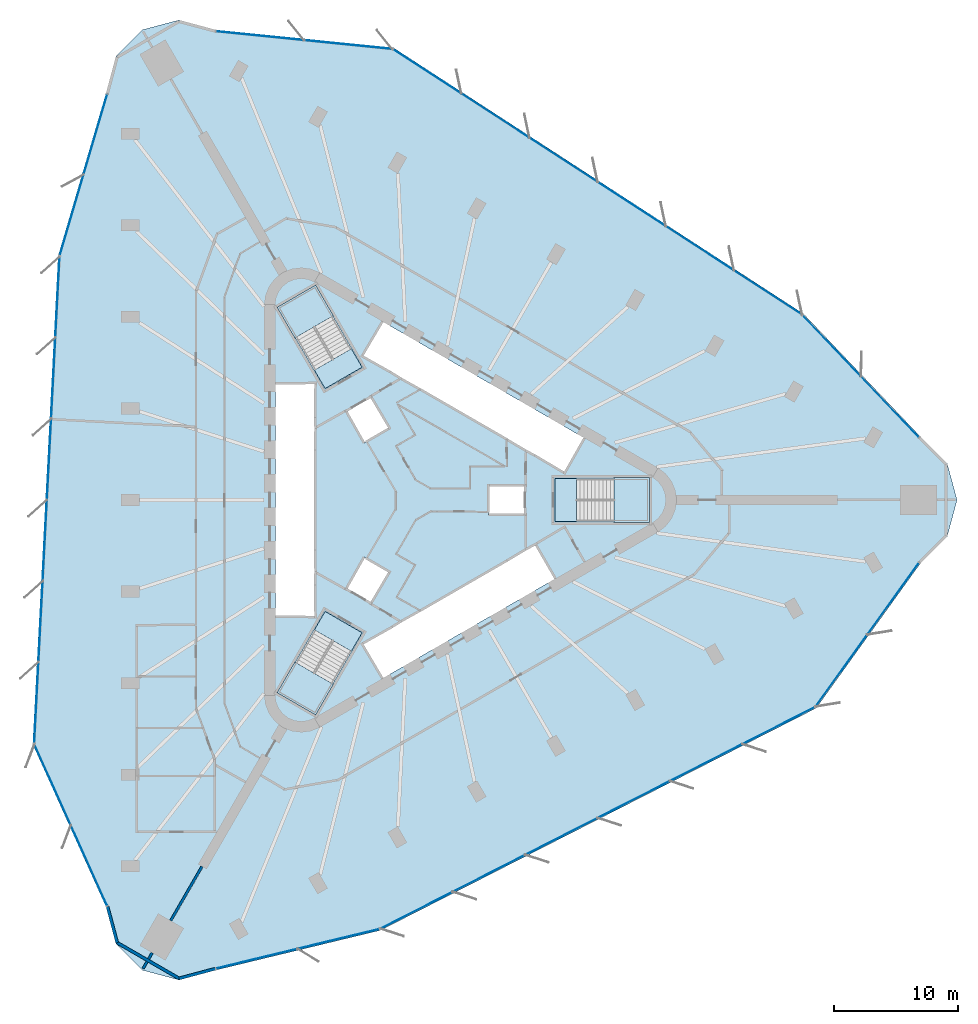
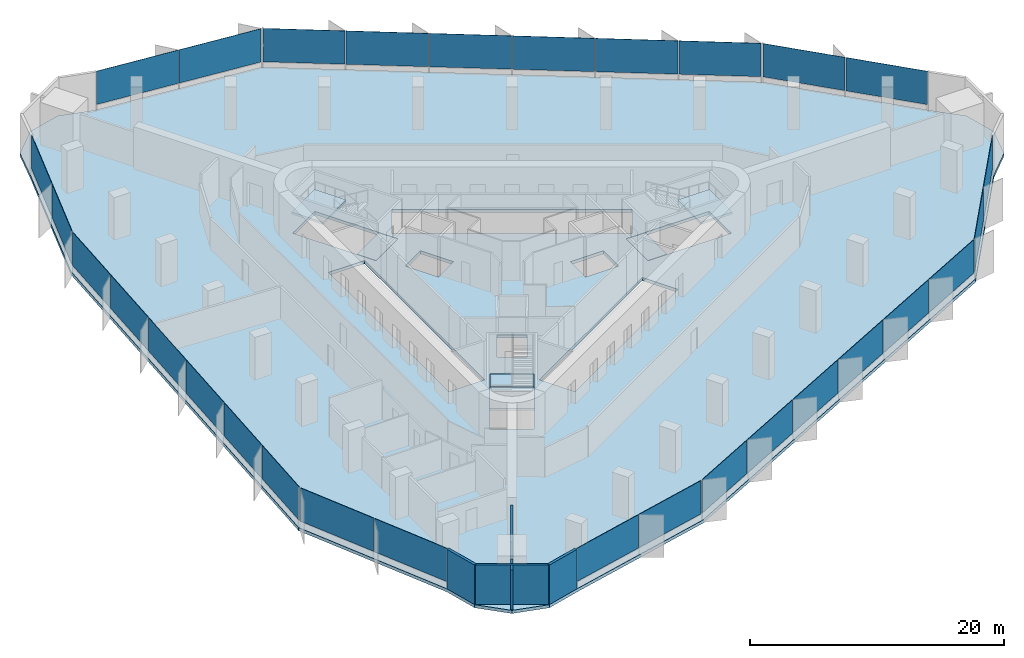
# One storey, part 8 of 14: 30 plates, 7 slabs, 6 walls, 12 elements without a shape of their own.
"""IFC4 building model written with IfcOpenShell, lengths in metres."""

from ifc_helpers import new_model, si_unit, direction, frame, frame_2d, origin, origin_2d, place, context, subcontext, project, spatial, polyline, rectangle, outline, extrude, material, layer, layer_set, type_object, element, aggregate, save


model = new_model("IFC4")

# Units and contexts
model_context = context("Model", 3, precision=1e-05, world=origin(), true_north=direction((0.0, 1.0)))
body_context = subcontext(model_context, "Body", "Model", "MODEL_VIEW")
ifc_project = project(units=[si_unit("LENGTHUNIT", "METRE"), si_unit("AREAUNIT", "SQUARE_METRE"), si_unit("VOLUMEUNIT", "CUBIC_METRE"), si_unit("PLANEANGLEUNIT", "RADIAN"), si_unit("MASSUNIT", "GRAM", prefix="KILO")], contexts=[model_context])

# Site, building, storey
site_placement = place(None, origin())
site = spatial("IfcSite", under=ifc_project, at=site_placement, CompositionType="ELEMENT")
building_placement = place(site_placement, origin())
building = spatial("IfcBuilding", under=site, at=building_placement, Name="Tanit Gate Tower", CompositionType="ELEMENT")
storey_placement = place(building_placement, frame((0.0, 0.0, 111.10009765625)))
storey = spatial("IfcBuildingStorey", under=building, at=storey_placement, Name="L23", CompositionType="ELEMENT", Elevation=111.10009765625)

# Slab
ifc_material_1 = material(Name="Concrete C35/45", Category="concrete")
ifc_layer_1 = layer(ifc_material_1, 0.300048828125)
ifc_layer_set_1 = layer_set([ifc_layer_1], Name="FLOOR SLAB 300 C35/45")
slab_type_1 = type_object("IfcSlabType", Name="FLOOR SLAB 300 C35/45", PredefinedType="FLOOR", material=ifc_layer_set_1)
slab_1_placement = place(storey_placement, frame((0.0, 0.0, -0.300048828125)))
element("IfcSlab", 1, at=slab_1_placement, inside=storey, type_object=slab_type_1, Name="FLOOR SLAB L23", PredefinedType="FLOOR", context=body_context, shape_type="SweptSolid", body=[
    extrude(outline(polyline([(40.87548828125, 5.105224609375), (43.033203125, 2.947509765625), (43.822998046875, 0.0), (43.033203125, -2.947509765625), (40.87548828125, -5.105224609375), (32.458251953125, -16.80322265625), (-2.703369140625, -34.73388671875), (-16.0166015625, -37.951904296875), (-18.964111328125, -38.74169921875), (-21.91162109375, -37.951904296875), (-24.0693359375, -35.794189453125), (-24.859130859375, -32.8466796875), (-30.78125, -19.7080078125), (-28.728759765625, 19.7080078125), (-24.859130859375, 32.8466796875), (-24.0693359375, 35.794189453125), (-21.91162109375, 37.951904296875), (-18.964111328125, 38.74169921875), (-16.0166015625, 37.951904296875), (-1.677001953125, 36.51123046875), (31.431884765625, 15.02587890625), (40.87548828125, 5.105224609375)]), holes=[polyline([(11.3701171875, 1.72998046875), (18.929931640625, 1.72998046875), (18.929931640625, -1.72998046875), (11.3701171875, -1.72998046875), (11.3701171875, 1.72998046875)]), polyline([(-4.208984375, 11.60986328125), (-2.583984375, 14.424560546875), (13.783935546875, 4.974609375), (12.158935546875, 2.159912109375), (-4.208984375, 11.60986328125)]), polyline([(-4.208984375, -11.60986328125), (9.82080078125, -3.510009765625), (11.44580078125, -6.324462890625), (-2.583984375, -14.424560546875), (-4.208984375, -11.60986328125)]), polyline([(9.0, 1.199951171875), (9.0, -1.199951171875), (6.0, -1.199951171875), (6.0, 1.199951171875), (9.0, 1.199951171875)]), polyline([(-5.539306640625, 7.194091796875), (-3.460693359375, 8.394287109375), (-1.960693359375, 5.796142578125), (-4.039306640625, 4.59619140625), (-5.539306640625, 7.194091796875)]), polyline([(-1.960693359375, -5.796142578125), (-3.460693359375, -8.394287109375), (-5.539306640625, -7.194091796875), (-4.039306640625, -4.59619140625), (-1.960693359375, -5.796142578125)]), polyline([(-10.963134765625, 15.52880859375), (-7.966796875, 17.2587890625), (-4.186767578125, 10.711669921875), (-7.18310546875, 8.981689453125), (-10.963134765625, 15.52880859375)]), polyline([(-4.186767578125, -10.711669921875), (-7.966796875, -17.2587890625), (-10.963134765625, -15.52880859375), (-7.18310546875, -8.981689453125), (-4.186767578125, -10.711669921875)]), polyline([(-11.199951171875, -9.449951171875), (-11.199951171875, 9.449951171875), (-7.949951171875, 9.449951171875), (-7.949951171875, -9.449951171875), (-11.199951171875, -9.449951171875)])]), origin(), (0.0, 0.0, 1.0), 0.300048828125),
])

# Curtain wall, plates
ifc_material_2 = material(Name="Aluminium bronze anodised and glass", Category="aluminium")
curtain_wall_type = type_object("IfcCurtainWallType", Name="Curtain wall typical low", PredefinedType="NOTDEFINED", material=ifc_material_2)
curtain_wall_1_placement = place(storey_placement, origin())
curtain_wall_1 = element("IfcCurtainWall", 2, at=curtain_wall_1_placement, inside=storey, type_object=curtain_wall_type, Name="Curtain wall L23 NE1", PredefinedType="NOTDEFINED")
ifc_material_3 = material(Name="Glass tinted", Category="glass")
ifc_layer_2 = layer(ifc_material_3, 0.031982421875)
ifc_layer_set_2 = layer_set([ifc_layer_2], Name="Glass panel 32 typical low")
plate_type = type_object("IfcPlateType", Name="Glass panel 32 typical low", PredefinedType="CURTAIN_PANEL", material=ifc_layer_set_2)
plate_1_placement = place(storey_placement, frame((38.417236328125, 7.513671875, 0.60009765625), z_axis=(0.0, 0.0, 1.0), x_axis=(-0.689481250245, 0.724303531374, 0.0)))
plate_1 = element("IfcPlate", 3, at=plate_1_placement, type_object=plate_type, Name="Glass panel L23 NE1.1", PredefinedType="CURTAIN_PANEL", context=body_context, shape_type="SweptSolid", body=[
    extrude(rectangle(XDim=6.721923828125, YDim=0.031982421875, at=origin_2d()), origin(), (0.0, 0.0, 1.0), 3.199951171875),
])
plate_2_placement = place(storey_placement, frame((33.727294921875, 12.4404296875, 0.60009765625), z_axis=(0.0, 0.0, 1.0), x_axis=(-0.689481250245, 0.724303531374, 0.0)))
plate_2 = element("IfcPlate", 4, at=plate_2_placement, type_object=plate_type, Name="Glass panel L23 NE1.2", PredefinedType="CURTAIN_PANEL", context=body_context, shape_type="SweptSolid", body=[
    extrude(rectangle(XDim=6.721923828125, YDim=0.031982421875, at=origin_2d()), origin(), (0.0, 0.0, 1.0), 3.199951171875),
])
aggregate(curtain_wall_1, [plate_1, plate_2])

curtain_wall_2_placement = place(storey_placement, origin())
curtain_wall_2 = element("IfcCurtainWall", 5, at=curtain_wall_2_placement, inside=storey, type_object=curtain_wall_type, Name="Curtain wall L23 NE2", PredefinedType="NOTDEFINED")
plate_3_placement = place(storey_placement, frame((28.57080078125, 16.739501953125, 0.60009765625), z_axis=(0.0, 0.0, 1.0), x_axis=(-0.838852134807, 0.544359344487, 0.0)))
plate_3 = element("IfcPlate", 6, at=plate_3_placement, type_object=plate_type, Name="Glass panel L23 NE2.1", PredefinedType="CURTAIN_PANEL", context=body_context, shape_type="SweptSolid", body=[
    extrude(rectangle(XDim=6.477783203125, YDim=0.031982421875, at=origin_2d()), origin(), (0.0, 0.0, 1.0), 3.199951171875),
])
plate_4_placement = place(storey_placement, frame((23.06982421875, 20.309326171875, 0.60009765625), z_axis=(0.0, 0.0, 1.0), x_axis=(-0.838852134807, 0.544359344487, 0.0)))
plate_4 = element("IfcPlate", 7, at=plate_4_placement, type_object=plate_type, Name="Glass panel L23 NE2.2", PredefinedType="CURTAIN_PANEL", context=body_context, shape_type="SweptSolid", body=[
    extrude(rectangle(XDim=6.477783203125, YDim=0.031982421875, at=origin_2d()), origin(), (0.0, 0.0, 1.0), 3.199951171875),
])
plate_5_placement = place(storey_placement, frame((17.56884765625, 23.87890625, 0.60009765625), z_axis=(0.0, 0.0, 1.0), x_axis=(-0.838852134807, 0.544359344487, 0.0)))
plate_5 = element("IfcPlate", 8, at=plate_5_placement, type_object=plate_type, Name="Glass panel L23 NE2.3", PredefinedType="CURTAIN_PANEL", context=body_context, shape_type="SweptSolid", body=[
    extrude(rectangle(XDim=6.477783203125, YDim=0.031982421875, at=origin_2d()), origin(), (0.0, 0.0, 1.0), 3.199951171875),
])
plate_6_placement = place(storey_placement, frame((12.06787109375, 27.44873046875, 0.60009765625), z_axis=(0.0, 0.0, 1.0), x_axis=(-0.838852134807, 0.544359344487, 0.0)))
plate_6 = element("IfcPlate", 9, at=plate_6_placement, type_object=plate_type, Name="Glass panel L23 NE2.4", PredefinedType="CURTAIN_PANEL", context=body_context, shape_type="SweptSolid", body=[
    extrude(rectangle(XDim=6.477783203125, YDim=0.031982421875, at=origin_2d()), origin(), (0.0, 0.0, 1.0), 3.199951171875),
])
plate_7_placement = place(storey_placement, frame((6.56689453125, 31.0185546875, 0.60009765625), z_axis=(0.0, 0.0, 1.0), x_axis=(-0.838852134807, 0.544359344487, 0.0)))
plate_7 = element("IfcPlate", 10, at=plate_7_placement, type_object=plate_type, Name="Glass panel L23 NE2.5", PredefinedType="CURTAIN_PANEL", context=body_context, shape_type="SweptSolid", body=[
    extrude(rectangle(XDim=6.477783203125, YDim=0.031982421875, at=origin_2d()), origin(), (0.0, 0.0, 1.0), 3.199951171875),
])
plate_8_placement = place(storey_placement, frame((1.066162109375, 34.588134765625, 0.60009765625), z_axis=(0.0, 0.0, 1.0), x_axis=(-0.838852134807, 0.544359344487, 0.0)))
plate_8 = element("IfcPlate", 11, at=plate_8_placement, type_object=plate_type, Name="Glass panel L23 NE2.6", PredefinedType="CURTAIN_PANEL", context=body_context, shape_type="SweptSolid", body=[
    extrude(rectangle(XDim=6.477783203125, YDim=0.031982421875, at=origin_2d()), origin(), (0.0, 0.0, 1.0), 3.199951171875),
])
aggregate(curtain_wall_2, [plate_3, plate_4, plate_5, plate_6, plate_7, plate_8])

curtain_wall_3_placement = place(storey_placement, origin())
curtain_wall_3 = element("IfcCurtainWall", 12, at=curtain_wall_3_placement, inside=storey, type_object=curtain_wall_type, Name="Curtain wall L23 NE3", PredefinedType="NOTDEFINED")
plate_9_placement = place(storey_placement, frame((-5.31787109375, 36.756591796875, 0.60009765625), z_axis=(0.0, 0.0, 1.0), x_axis=(-0.994991526189, 0.099959305783, 0.0)))
plate_9 = element("IfcPlate", 13, at=plate_9_placement, type_object=plate_type, Name="Glass panel L23 NE3.1", PredefinedType="CURTAIN_PANEL", context=body_context, shape_type="SweptSolid", body=[
    extrude(rectangle(XDim=7.076171875, YDim=0.031982421875, at=origin_2d()), origin(), (0.0, 0.0, 1.0), 3.199951171875),
])
plate_10_placement = place(storey_placement, frame((-12.438232421875, 37.471923828125, 0.60009765625), z_axis=(0.0, 0.0, 1.0), x_axis=(-0.994991526189, 0.099959305783, 0.0)))
plate_10 = element("IfcPlate", 14, at=plate_10_placement, type_object=plate_type, Name="Glass panel L23 NE3.2", PredefinedType="CURTAIN_PANEL", context=body_context, shape_type="SweptSolid", body=[
    extrude(rectangle(XDim=7.076171875, YDim=0.031982421875, at=origin_2d()), origin(), (0.0, 0.0, 1.0), 3.199951171875),
])
aggregate(curtain_wall_3, [plate_9, plate_10])

curtain_wall_4_placement = place(storey_placement, origin())
curtain_wall_4 = element("IfcCurtainWall", 15, at=curtain_wall_4_placement, inside=storey, type_object=curtain_wall_type, Name="Curtain wall L23 W1", PredefinedType="NOTDEFINED")
plate_11_placement = place(storey_placement, frame((-25.715576171875, 29.513427734375, 0.60009765625), z_axis=(0.0, 0.0, 1.0), x_axis=(-0.282524633098, -0.959260043832, 0.0)))
plate_11 = element("IfcPlate", 16, at=plate_11_placement, type_object=plate_type, Name="Glass panel L23 W1.1", PredefinedType="CURTAIN_PANEL", context=body_context, shape_type="SweptSolid", body=[
    extrude(rectangle(XDim=6.721923828125, YDim=0.031982421875, at=origin_2d()), origin(), (0.0, 0.0, 1.0), 3.199951171875),
])
plate_12_placement = place(storey_placement, frame((-27.637451171875, 22.988525390625, 0.60009765625), z_axis=(0.0, 0.0, 1.0), x_axis=(-0.282524633098, -0.959260043832, 0.0)))
plate_12 = element("IfcPlate", 17, at=plate_12_placement, type_object=plate_type, Name="Glass panel L23 W1.2", PredefinedType="CURTAIN_PANEL", context=body_context, shape_type="SweptSolid", body=[
    extrude(rectangle(XDim=6.721923828125, YDim=0.031982421875, at=origin_2d()), origin(), (0.0, 0.0, 1.0), 3.199951171875),
])
aggregate(curtain_wall_4, [plate_11, plate_12])

curtain_wall_5_placement = place(storey_placement, origin())
curtain_wall_5 = element("IfcCurtainWall", 18, at=curtain_wall_5_placement, inside=storey, type_object=curtain_wall_type, Name="Curtain wall L23 W2", PredefinedType="NOTDEFINED")
plate_13_placement = place(storey_placement, frame((-28.7822265625, 16.373291015625, 0.60009765625), z_axis=(0.0, 0.0, 1.0), x_axis=(-0.05200295371, -0.998646931005, 0.0)))
plate_13 = element("IfcPlate", 19, at=plate_13_placement, type_object=plate_type, Name="Glass panel L23 W2.1", PredefinedType="CURTAIN_PANEL", context=body_context, shape_type="SweptSolid", body=[
    extrude(rectangle(XDim=6.477783203125, YDim=0.031982421875, at=origin_2d()), origin(), (0.0, 0.0, 1.0), 3.199951171875),
])
plate_14_placement = place(storey_placement, frame((-29.123291015625, 9.824462890625, 0.60009765625), z_axis=(0.0, 0.0, 1.0), x_axis=(-0.05200295371, -0.998646931005, 0.0)))
plate_14 = element("IfcPlate", 20, at=plate_14_placement, type_object=plate_type, Name="Glass panel L23 W2.2", PredefinedType="CURTAIN_PANEL", context=body_context, shape_type="SweptSolid", body=[
    extrude(rectangle(XDim=6.477783203125, YDim=0.031982421875, at=origin_2d()), origin(), (0.0, 0.0, 1.0), 3.199951171875),
])
plate_15_placement = place(storey_placement, frame((-29.464111328125, 3.275634765625, 0.60009765625), z_axis=(0.0, 0.0, 1.0), x_axis=(-0.05200295371, -0.998646931005, 0.0)))
plate_15 = element("IfcPlate", 21, at=plate_15_placement, type_object=plate_type, Name="Glass panel L23 W2.3", PredefinedType="CURTAIN_PANEL", context=body_context, shape_type="SweptSolid", body=[
    extrude(rectangle(XDim=6.477783203125, YDim=0.031982421875, at=origin_2d()), origin(), (0.0, 0.0, 1.0), 3.199951171875),
])
plate_16_placement = place(storey_placement, frame((-29.80517578125, -3.273193359375, 0.60009765625), z_axis=(0.0, 0.0, 1.0), x_axis=(-0.05200295371, -0.998646931005, 0.0)))
plate_16 = element("IfcPlate", 22, at=plate_16_placement, type_object=plate_type, Name="Glass panel L23 W2.4", PredefinedType="CURTAIN_PANEL", context=body_context, shape_type="SweptSolid", body=[
    extrude(rectangle(XDim=6.477783203125, YDim=0.031982421875, at=origin_2d()), origin(), (0.0, 0.0, 1.0), 3.199951171875),
])
plate_17_placement = place(storey_placement, frame((-30.146240234375, -9.822021484375, 0.60009765625), z_axis=(0.0, 0.0, 1.0), x_axis=(-0.05200295371, -0.998646931005, 0.0)))
plate_17 = element("IfcPlate", 23, at=plate_17_placement, type_object=plate_type, Name="Glass panel L23 W2.5", PredefinedType="CURTAIN_PANEL", context=body_context, shape_type="SweptSolid", body=[
    extrude(rectangle(XDim=6.477783203125, YDim=0.031982421875, at=origin_2d()), origin(), (0.0, 0.0, 1.0), 3.199951171875),
])
plate_18_placement = place(storey_placement, frame((-30.4873046875, -16.370849609375, 0.60009765625), z_axis=(0.0, 0.0, 1.0), x_axis=(-0.05200295371, -0.998646931005, 0.0)))
plate_18 = element("IfcPlate", 24, at=plate_18_placement, type_object=plate_type, Name="Glass panel L23 W2.6", PredefinedType="CURTAIN_PANEL", context=body_context, shape_type="SweptSolid", body=[
    extrude(rectangle(XDim=6.477783203125, YDim=0.031982421875, at=origin_2d()), origin(), (0.0, 0.0, 1.0), 3.199951171875),
])
aggregate(curtain_wall_5, [plate_13, plate_14, plate_15, plate_16, plate_17, plate_18])

curtain_wall_6_placement = place(storey_placement, origin())
curtain_wall_6 = element("IfcCurtainWall", 25, at=curtain_wall_6_placement, inside=storey, type_object=curtain_wall_type, Name="Curtain wall L23 W3", PredefinedType="NOTDEFINED")
plate_19_placement = place(storey_placement, frame((-29.173095703125, -22.983642578125, 0.60009765625), z_axis=(0.0, 0.0, 1.0), x_axis=(0.410928464942, -0.911667591121, 0.0)))
plate_19 = element("IfcPlate", 26, at=plate_19_placement, type_object=plate_type, Name="Glass panel L23 W3.1", PredefinedType="CURTAIN_PANEL", context=body_context, shape_type="SweptSolid", body=[
    extrude(rectangle(XDim=7.076171875, YDim=0.031982421875, at=origin_2d()), origin(), (0.0, 0.0, 1.0), 3.199951171875),
])
plate_20_placement = place(storey_placement, frame((-26.232421875, -29.5078125, 0.60009765625), z_axis=(0.0, 0.0, 1.0), x_axis=(0.410928464942, -0.911667591121, 0.0)))
plate_20 = element("IfcPlate", 27, at=plate_20_placement, type_object=plate_type, Name="Glass panel L23 W3.2", PredefinedType="CURTAIN_PANEL", context=body_context, shape_type="SweptSolid", body=[
    extrude(rectangle(XDim=7.076171875, YDim=0.031982421875, at=origin_2d()), origin(), (0.0, 0.0, 1.0), 3.199951171875),
])
aggregate(curtain_wall_6, [plate_19, plate_20])

curtain_wall_7_placement = place(storey_placement, origin())
curtain_wall_7 = element("IfcCurtainWall", 28, at=curtain_wall_7_placement, inside=storey, type_object=curtain_wall_type, Name="Curtain wall L23 SE1", PredefinedType="NOTDEFINED")
plate_21_placement = place(storey_placement, frame((-12.701416015625, -37.027099609375, 0.60009765625), z_axis=(0.0, 0.0, 1.0), x_axis=(0.972005883343, 0.234956512458, 0.0)))
plate_21 = element("IfcPlate", 29, at=plate_21_placement, type_object=plate_type, Name="Glass panel L23 SE1.1", PredefinedType="CURTAIN_PANEL", context=body_context, shape_type="SweptSolid", body=[
    extrude(rectangle(XDim=6.721923828125, YDim=0.031982421875, at=origin_2d()), origin(), (0.0, 0.0, 1.0), 3.199951171875),
])
plate_22_placement = place(storey_placement, frame((-6.08984375, -35.428955078125, 0.60009765625), z_axis=(0.0, 0.0, 1.0), x_axis=(0.972005883343, 0.234956512458, 0.0)))
plate_22 = element("IfcPlate", 30, at=plate_22_placement, type_object=plate_type, Name="Glass panel L23 SE1.2", PredefinedType="CURTAIN_PANEL", context=body_context, shape_type="SweptSolid", body=[
    extrude(rectangle(XDim=6.721923828125, YDim=0.031982421875, at=origin_2d()), origin(), (0.0, 0.0, 1.0), 3.199951171875),
])
aggregate(curtain_wall_7, [plate_21, plate_22])

curtain_wall_8_placement = place(storey_placement, origin())
curtain_wall_8 = element("IfcCurtainWall", 31, at=curtain_wall_8_placement, inside=storey, type_object=curtain_wall_type, Name="Curtain wall L23 SE2", PredefinedType="NOTDEFINED")
plate_23_placement = place(storey_placement, frame((0.21142578125, -33.11279296875, 0.60009765625), z_axis=(0.0, 0.0, 1.0), x_axis=(0.890855088516, 0.454287586518, 0.0)))
plate_23 = element("IfcPlate", 32, at=plate_23_placement, type_object=plate_type, Name="Glass panel L23 SE2.1", PredefinedType="CURTAIN_PANEL", context=body_context, shape_type="SweptSolid", body=[
    extrude(rectangle(XDim=6.477783203125, YDim=0.031982421875, at=origin_2d()), origin(), (0.0, 0.0, 1.0), 3.199951171875),
])
plate_24_placement = place(storey_placement, frame((6.053466796875, -30.133544921875, 0.60009765625), z_axis=(0.0, 0.0, 1.0), x_axis=(0.890855088516, 0.454287586518, 0.0)))
plate_24 = element("IfcPlate", 33, at=plate_24_placement, type_object=plate_type, Name="Glass panel L23 SE2.2", PredefinedType="CURTAIN_PANEL", context=body_context, shape_type="SweptSolid", body=[
    extrude(rectangle(XDim=6.477783203125, YDim=0.031982421875, at=origin_2d()), origin(), (0.0, 0.0, 1.0), 3.199951171875),
])
plate_25_placement = place(storey_placement, frame((11.895263671875, -27.154541015625, 0.60009765625), z_axis=(0.0, 0.0, 1.0), x_axis=(0.890855088516, 0.454287586518, 0.0)))
plate_25 = element("IfcPlate", 34, at=plate_25_placement, type_object=plate_type, Name="Glass panel L23 SE2.3", PredefinedType="CURTAIN_PANEL", context=body_context, shape_type="SweptSolid", body=[
    extrude(rectangle(XDim=6.477783203125, YDim=0.031982421875, at=origin_2d()), origin(), (0.0, 0.0, 1.0), 3.199951171875),
])
plate_26_placement = place(storey_placement, frame((17.7373046875, -24.175537109375, 0.60009765625), z_axis=(0.0, 0.0, 1.0), x_axis=(0.890855088516, 0.454287586518, 0.0)))
plate_26 = element("IfcPlate", 35, at=plate_26_placement, type_object=plate_type, Name="Glass panel L23 SE2.4", PredefinedType="CURTAIN_PANEL", context=body_context, shape_type="SweptSolid", body=[
    extrude(rectangle(XDim=6.477783203125, YDim=0.031982421875, at=origin_2d()), origin(), (0.0, 0.0, 1.0), 3.199951171875),
])
plate_27_placement = place(storey_placement, frame((23.579345703125, -21.196533203125, 0.60009765625), z_axis=(0.0, 0.0, 1.0), x_axis=(0.890855088516, 0.454287586518, 0.0)))
plate_27 = element("IfcPlate", 36, at=plate_27_placement, type_object=plate_type, Name="Glass panel L23 SE2.5", PredefinedType="CURTAIN_PANEL", context=body_context, shape_type="SweptSolid", body=[
    extrude(rectangle(XDim=6.477783203125, YDim=0.031982421875, at=origin_2d()), origin(), (0.0, 0.0, 1.0), 3.199951171875),
])
plate_28_placement = place(storey_placement, frame((29.421142578125, -18.21728515625, 0.60009765625), z_axis=(0.0, 0.0, 1.0), x_axis=(0.890855088516, 0.454287586518, 0.0)))
plate_28 = element("IfcPlate", 37, at=plate_28_placement, type_object=plate_type, Name="Glass panel L23 SE2.6", PredefinedType="CURTAIN_PANEL", context=body_context, shape_type="SweptSolid", body=[
    extrude(rectangle(XDim=6.477783203125, YDim=0.031982421875, at=origin_2d()), origin(), (0.0, 0.0, 1.0), 3.199951171875),
])
aggregate(curtain_wall_8, [plate_23, plate_24, plate_25, plate_26, plate_27, plate_28])

curtain_wall_9_placement = place(storey_placement, origin())
curtain_wall_9 = element("IfcCurtainWall", 38, at=curtain_wall_9_placement, inside=storey, type_object=curtain_wall_type, Name="Curtain wall L23 SE3", PredefinedType="NOTDEFINED")
plate_29_placement = place(storey_placement, frame((34.490966796875, -13.772705078125, 0.60009765625), z_axis=(0.0, 0.0, 1.0), x_axis=(0.584063061247, 0.811708285338, 0.0)))
plate_29 = element("IfcPlate", 39, at=plate_29_placement, type_object=plate_type, Name="Glass panel L23 SE3.1", PredefinedType="CURTAIN_PANEL", context=body_context, shape_type="SweptSolid", body=[
    extrude(rectangle(XDim=7.076171875, YDim=0.031982421875, at=origin_2d()), origin(), (0.0, 0.0, 1.0), 3.199951171875),
])
plate_30_placement = place(storey_placement, frame((38.670654296875, -7.964111328125, 0.60009765625), z_axis=(0.0, 0.0, 1.0), x_axis=(0.584063061247, 0.811708285338, 0.0)))
plate_30 = element("IfcPlate", 40, at=plate_30_placement, type_object=plate_type, Name="Glass panel L23 SE3.2", PredefinedType="CURTAIN_PANEL", context=body_context, shape_type="SweptSolid", body=[
    extrude(rectangle(XDim=7.076171875, YDim=0.031982421875, at=origin_2d()), origin(), (0.0, 0.0, 1.0), 3.199951171875),
])
aggregate(curtain_wall_9, [plate_29, plate_30])

# Stair, slab
ifc_material_4 = material(Name="Concrete C40/50", Category="concrete")
stair_type = type_object("IfcStairType", Name="INT-STAIR-EXIT", PredefinedType="HALF_TURN_STAIR", material=ifc_material_4)
stair_1_placement = place(storey_placement, origin())
stair_1 = element("IfcStair", 41, at=stair_1_placement, inside=storey, type_object=stair_type, Name="L23 STAIR S1", PredefinedType="HALF_TURN_STAIR")
ifc_material_5 = material(Name="Concrete C40/50", Category="concrete")
ifc_layer_3 = layer(ifc_material_5, 0.199951171875)
ifc_layer_set_3 = layer_set([ifc_layer_3], Name="INT-STAIR-LANDING")
slab_type_2 = type_object("IfcSlabType", Name="INT-STAIR-LANDING", PredefinedType="LANDING", material=ifc_layer_set_3)
slab_2_placement = place(storey_placement, frame((0.0, 0.0, 1.849853515625)))
slab_2 = element("IfcSlab", 42, at=slab_2_placement, type_object=slab_type_2, Name="S1 landing 1", PredefinedType="LANDING", context=body_context, shape_type="SweptSolid", body=[
    extrude(outline(polyline([(16.135986328125, -1.800048828125), (19.0, -1.800048828125), (19.0, 1.800048828125), (16.135986328125, 1.800048828125), (16.135986328125, -1.800048828125)])), origin(), (0.0, 0.0, 1.0), 0.199951171875),
])
aggregate(stair_1, [slab_2])

# Slab
slab_3_placement = place(storey_placement, frame((0.0, 0.0, -0.2001953125)))
element("IfcSlab", 43, at=slab_3_placement, inside=storey, type_object=slab_type_2, Name="S1 floor landing", PredefinedType="LANDING", context=body_context, shape_type="SweptSolid", body=[
    extrude(outline(polyline([(11.3798828125, -1.719970703125), (13.10498046875, -1.719970703125), (13.10498046875, 1.719970703125), (11.3798828125, 1.719970703125), (11.3798828125, -1.719970703125)])), origin(), (0.0, 0.0, 1.0), 0.2001953125),
])

# Stair, slab
stair_2_placement = place(storey_placement, origin())
stair_2 = element("IfcStair", 44, at=stair_2_placement, inside=storey, type_object=stair_type, Name="L23 STAIR S2", PredefinedType="HALF_TURN_STAIR")
slab_4_placement = place(storey_placement, frame((0.0, 0.0, 1.849853515625)))
slab_4 = element("IfcSlab", 45, at=slab_4_placement, type_object=slab_type_2, Name="S2 landing 1", PredefinedType="LANDING", context=body_context, shape_type="SweptSolid", body=[
    extrude(outline(polyline([(-6.5078125, 14.871826171875), (-7.941162109375, 17.3544921875), (-11.058837890625, 15.554443359375), (-9.62548828125, 13.07177734375), (-6.5078125, 14.871826171875)])), origin(), (0.0, 0.0, 1.0), 0.199951171875),
])
aggregate(stair_2, [slab_4])

# Slab
slab_5_placement = place(storey_placement, frame((0.0, 0.0, -0.2001953125)))
element("IfcSlab", 46, at=slab_5_placement, inside=storey, type_object=slab_type_2, Name="S2 floor landing", PredefinedType="LANDING", context=body_context, shape_type="SweptSolid", body=[
    extrude(outline(polyline([(-4.200439453125, 10.71533203125), (-5.0625, 12.20849609375), (-8.04150390625, 10.48828125), (-7.179443359375, 8.995361328125), (-4.200439453125, 10.71533203125)])), origin(), (0.0, 0.0, 1.0), 0.2001953125),
])

# Stair, slab
stair_3_placement = place(storey_placement, origin())
stair_3 = element("IfcStair", 47, at=stair_3_placement, inside=storey, type_object=stair_type, Name="L23 STAIR S3", PredefinedType="HALF_TURN_STAIR")
slab_6_placement = place(storey_placement, frame((0.0, 0.0, 1.849853515625)))
slab_6 = element("IfcSlab", 48, at=slab_6_placement, type_object=slab_type_2, Name="S3 landing 1", PredefinedType="LANDING", context=body_context, shape_type="SweptSolid", body=[
    extrude(outline(polyline([(-9.626953125, -13.07421875), (-11.058837890625, -15.554443359375), (-7.941162109375, -17.3544921875), (-6.509033203125, -14.874267578125), (-9.626953125, -13.07421875)])), origin(), (0.0, 0.0, 1.0), 0.199951171875),
])
aggregate(stair_3, [slab_6])

# Slab
slab_7_placement = place(storey_placement, frame((0.0, 0.0, -0.2001953125)))
element("IfcSlab", 49, at=slab_7_placement, inside=storey, type_object=slab_type_2, Name="S3 floor landing", PredefinedType="LANDING", context=body_context, shape_type="SweptSolid", body=[
    extrude(outline(polyline([(-7.179443359375, -8.995361328125), (-8.0419921875, -10.4892578125), (-5.06298828125, -12.209228515625), (-4.200439453125, -10.71533203125), (-7.179443359375, -8.995361328125)])), origin(), (0.0, 0.0, 1.0), 0.2001953125),
])

# Walls
ifc_material_6 = material(Name="Concrete C30/37 with bronze anodised aluminium cladding", Category="concrete")
ifc_layer_4 = layer(ifc_material_6, 0.239990234375)
ifc_layer_set_4 = layer_set([ifc_layer_4], Name="Facade wall bronze clad 240")
wall_type_1 = type_object("IfcWallType", Name="Facade wall bronze clad 240", PredefinedType="SOLIDWALL", material=ifc_layer_set_4)
wall_1_placement = place(storey_placement, frame((-24.74560546875, -32.80615234375, 0.0), z_axis=(0.0, 0.0, 1.0), x_axis=(0.258811290087, -0.965927904206, 0.0)))
element("IfcWall", 50, at=wall_1_placement, inside=storey, type_object=wall_type_1, Name="Bronze-clad facade wall L23 SW.arc1", PredefinedType="SOLIDWALL", context=body_context, shape_type="SweptSolid", body=[
    extrude(rectangle(XDim=3.029052734375, YDim=0.239990234375, at=frame_2d((1.5146484375, 0.0))), origin(), (0.0, 0.0, 1.0), 3.7998046875),
])
wall_2_placement = place(storey_placement, frame((-23.961669921875, -35.73193359375, 0.0), z_axis=(0.0, 0.0, 1.0), x_axis=(0.866013679419, -0.500020306647, 0.0)))
element("IfcWall", 51, at=wall_2_placement, inside=storey, type_object=wall_type_1, Name="Bronze-clad facade wall L23 SW.arc2", PredefinedType="SOLIDWALL", context=body_context, shape_type="SweptSolid", body=[
    extrude(rectangle(XDim=5.770751953125, YDim=0.239990234375, at=frame_2d((2.88525390625, 0.0))), origin(), (0.0, 0.0, 1.0), 3.7998046875),
])
wall_3_placement = place(storey_placement, frame((-18.964111328125, -38.617431640625, 0.0), z_axis=(0.0, 0.0, 1.0), x_axis=(0.965936508551, 0.258779175065, 0.0)))
element("IfcWall", 52, at=wall_3_placement, inside=storey, type_object=wall_type_1, Name="Bronze-clad facade wall L23 SW.arc3", PredefinedType="SOLIDWALL", context=body_context, shape_type="SweptSolid", body=[
    extrude(rectangle(XDim=3.020751953125, YDim=0.239990234375, at=frame_2d((1.51025390625, 0.0))), origin(), (0.0, 0.0, 1.0), 3.7998046875),
])
ifc_material_7 = material(Name="Fire-rated gypsum board partition")
ifc_layer_5 = layer(ifc_material_7, 0.199951171875)
ifc_layer_set_5 = layer_set([ifc_layer_5], Name="INT-WALL-COMPARTMENT")
wall_type_2 = type_object("IfcWallType", Name="INT-WALL-COMPARTMENT", PredefinedType="PARTITIONING", material=ifc_layer_set_5)
wall_4_placement = place(storey_placement, frame((-17.1142578125, -29.582763671875, 0.0), z_axis=(0.0, 0.0, 1.0), x_axis=(-0.499994660107, -0.866028486751, 0.0)))
element("IfcWall", 53, at=wall_4_placement, inside=storey, type_object=wall_type_2, Name="Wall Compartment W111", PredefinedType="PARTITIONING", context=body_context, shape_type="SweptSolid", body=[
    extrude(rectangle(XDim=5.04638671875, YDim=0.199951171875, at=frame_2d((2.523193359375, 0.0))), origin(), (0.0, 0.0, 1.0), 3.369873046875),
])
wall_5_placement = place(storey_placement, frame((-21.137451171875, -36.55126953125, 0.0), z_axis=(0.0, 0.0, 1.0), x_axis=(-0.500193841991, -0.86591346013, 0.0)))
element("IfcWall", 54, at=wall_5_placement, inside=storey, type_object=wall_type_2, Name="Wall Compartment W110", PredefinedType="PARTITIONING", context=body_context, shape_type="SweptSolid", body=[
    extrude(rectangle(XDim=0.582763671875, YDim=0.199951171875, at=frame_2d((0.29150390625, 0.0))), origin(), (0.0, 0.0, 1.0), 3.7998046875),
])
wall_6_placement = place(storey_placement, frame((-21.548828125, -37.263671875, 0.0), z_axis=(0.0, 0.0, 1.0), x_axis=(-0.500006411147, -0.866021702275, 0.0)))
element("IfcWall", 55, at=wall_6_placement, inside=storey, type_object=wall_type_2, Name="Wall Compartment W110x1", PredefinedType="PARTITIONING", context=body_context, shape_type="SweptSolid", body=[
    extrude(rectangle(XDim=0.64501953125, YDim=0.199951171875, at=frame_2d((0.322509765625, 0.0))), origin(), (0.0, 0.0, 1.0), 3.7998046875),
])

save(model, "model.ifc")
